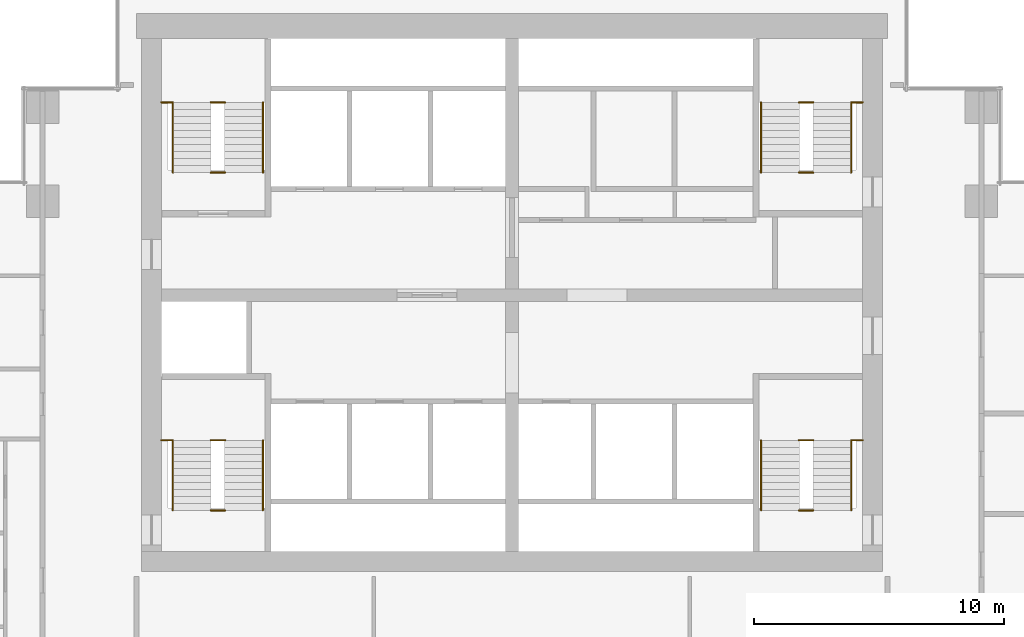
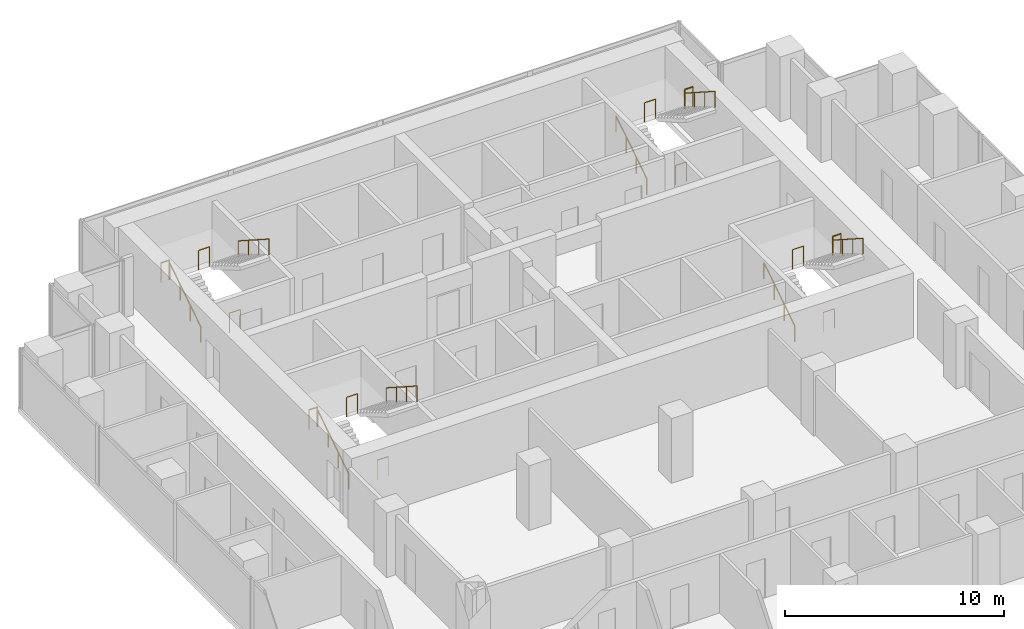
# One storey, part 10 of 10: 20 railings.
"""IFC4 building model written with IfcOpenShell, lengths in metres."""

import ifcopenshell
import ifcopenshell.guid

model = None  # the IFC model being written
_history = None  # IfcOwnerHistory: only IFC2X3 demands one
_inside = {}  # id of a spatial element -> (the spatial element, [elements in it])
_under = {}  # id of a project, library or spatial element -> (it, [spatial elements below it])
_declared = {}  # id of a project -> (the project, [libraries it declares])
_typed = {}  # id of a type object -> (the type object, [elements of that type])
_made_of = {}  # id of a material, layer set ... -> (it, [elements and type objects made of it])


def new_model(schema):
    """Start an empty IFC model of exactly this schema.

    Asked for "IFC4X3", IfcOpenShell would pick the latest addendum, in which some entities
    have other attributes; the version numbers below select the first issue.
    IFC2X3 requires an IfcOwnerHistory on every rooted entity: one is made here for all.
    """
    global model, _history
    if schema == "IFC4X3":
        model = ifcopenshell.file(schema_version=(4, 3, 0, 0))
    else:
        model = ifcopenshell.file(schema=schema)
    _inside.clear()
    _under.clear()
    _declared.clear()
    _typed.clear()
    _made_of.clear()
    _history = None
    if model.schema == "IFC2X3":
        org = make("IfcOrganization", Name="unknown")
        user = make(
            "IfcPersonAndOrganization",
            ThePerson=make("IfcPerson", FamilyName="unknown"),
            TheOrganization=org,
        )
        app = make(
            "IfcApplication",
            ApplicationDeveloper=org,
            Version="unknown",
            ApplicationFullName="unknown",
            ApplicationIdentifier="unknown",
        )
        _history = make(
            "IfcOwnerHistory",
            OwningUser=user,
            OwningApplication=app,
            ChangeAction="ADDED",
            CreationDate=0,
        )
    return model


def make(cls, **values):
    """One entity of the class cls with the attributes given. An attribute that is None is left unset."""
    return model.create_entity(
        cls, **{name: value for name, value in values.items() if value is not None}
    )


def rooted(cls, **values):
    """An entity with a GlobalId (a new one), such as an element, a storey or a relation."""
    return make(cls, GlobalId=ifcopenshell.guid.new(), OwnerHistory=_history, **values)


def si_unit(unit_type, name, prefix=None):
    """IfcSIUnit, for example si_unit("LENGTHUNIT", "METRE", prefix="MILLI")."""
    return make("IfcSIUnit", UnitType=unit_type, Prefix=prefix, Name=name)


def assignment(units):
    """IfcUnitAssignment: the units of a project."""
    return None if units is None else make("IfcUnitAssignment", Units=units)


def point(xyz):
    """IfcCartesianPoint."""
    return None if xyz is None else make("IfcCartesianPoint", Coordinates=xyz)


def direction(xyz):
    """IfcDirection."""
    return None if xyz is None else make("IfcDirection", DirectionRatios=xyz)


def frame(location, z_axis=None, x_axis=None):
    """IfcAxis2Placement3D, a coordinate frame: its origin and axes. An axis left out is left unset."""
    return make(
        "IfcAxis2Placement3D",
        Location=point(location),
        Axis=direction(z_axis),
        RefDirection=direction(x_axis),
    )


def frame_2d(location, x_axis=None):
    """IfcAxis2Placement2D, a coordinate frame in the plane: its origin and x axis."""
    return make(
        "IfcAxis2Placement2D", Location=point(location), RefDirection=direction(x_axis)
    )


def origin():
    """The frame at (0, 0, 0) with its axes left unset."""
    return frame((0.0, 0.0, 0.0))


def origin_2d():
    """The frame at (0, 0) in the plane with its x axis left unset."""
    return frame_2d((0.0, 0.0))


def place(relative_to, where):
    """IfcLocalPlacement: puts the frame where relative to a parent placement (None: the world)."""
    return make(
        "IfcLocalPlacement", PlacementRelTo=relative_to, RelativePlacement=where
    )


def context(
    kind, dimensions, precision=None, world=None, true_north=None, identifier=None
):
    """IfcGeometricRepresentationContext, for example the 3D "Model" context."""
    return make(
        "IfcGeometricRepresentationContext",
        ContextIdentifier=identifier,
        ContextType=kind,
        CoordinateSpaceDimension=dimensions,
        Precision=precision,
        WorldCoordinateSystem=world,
        TrueNorth=true_north,
    )


def subcontext(parent, identifier, kind, view, scale=None):
    """IfcGeometricRepresentationSubContext, for example "Body" below "Model"."""
    return make(
        "IfcGeometricRepresentationSubContext",
        ContextIdentifier=identifier,
        ContextType=kind,
        ParentContext=parent,
        TargetScale=scale,
        TargetView=view,
    )


def project(units=None, contexts=None):
    """IfcProject with its units and contexts."""
    return rooted(
        "IfcProject",
        Name="project",
        RepresentationContexts=contexts,
        UnitsInContext=assignment(units),
    )


def spatial(cls, under=None, at=None, **own):
    """A site, building, storey or space (cls), placed at a placement, below another one or the project."""
    s = rooted(cls, ObjectPlacement=at, **own)
    if under is not None:
        _under.setdefault(under.id(), (under, []))[1].append(s)
    return s


def profile(cls, at=None, kind="AREA", **sizes):
    """A parametric profile (cls). Its sizes go by their IFC names, for example OverallWidth=200.0."""
    return make(cls, ProfileType=kind, Position=at, **sizes)


def circle(**sizes):
    """IfcCircleProfileDef."""
    return profile("IfcCircleProfileDef", **sizes)


def extrude(swept, where, along, depth):
    """IfcExtrudedAreaSolid: the profile swept, set in the frame where, extruded along a direction by depth."""
    return make(
        "IfcExtrudedAreaSolid",
        SweptArea=swept,
        Position=where,
        ExtrudedDirection=direction(along),
        Depth=depth,
    )


def shape(context_of_items, identifier, shape_type, items):
    """IfcShapeRepresentation: the items that make up one representation, for example the "Body"."""
    return make(
        "IfcShapeRepresentation",
        ContextOfItems=context_of_items,
        RepresentationIdentifier=identifier,
        RepresentationType=shape_type,
        Items=items,
    )


def material(Name=None, Category=None):
    """IfcMaterial."""
    return make("IfcMaterial", Name=Name, Category=Category)


def made_of(thing, what):
    """Note that an element or type object is made of a material, layer set ...; save() writes the relation."""
    if what is not None:
        _made_of.setdefault(what.id(), (what, []))[1].append(thing)
    return thing


def type_object(cls, material=None, **own):
    """A type object (cls), such as IfcWallType, which elements share."""
    return made_of(rooted(cls, **own), material)


def element(
    cls,
    number,
    at=None,
    inside=None,
    cuts=None,
    type_object=None,
    material=None,
    context=None,
    identifier="Body",
    shape_type=None,
    held_by="IfcProductDefinitionShape",
    body=None,
    shapes=None,
    **own,
):
    """One element of the class cls, such as IfcWall. Its Tag is "e" and its number.

    at: its placement. inside: the storey or other place that contains it. cuts: it is an
    opening in that element (IfcRelVoidsElement). A single representation is given by context,
    identifier, shape_type and body (its items); several are given by shapes. held_by: the class
    of the entity that holds the representations. save() writes the other relations.
    """
    e = rooted(cls, Tag="e%d" % number, ObjectPlacement=at, **own)
    if body is not None:
        shapes = [shape(context, identifier, shape_type, body)]
    if shapes is not None:
        e.Representation = make(held_by, Representations=shapes)
    if inside is not None:
        _inside.setdefault(inside.id(), (inside, []))[1].append(e)
    if cuts is not None:
        rooted(
            "IfcRelVoidsElement", RelatingBuildingElement=cuts, RelatedOpeningElement=e
        )
    if type_object is not None:
        _typed.setdefault(type_object.id(), (type_object, []))[1].append(e)
    return made_of(e, material)


def aggregate(whole, parts):
    """IfcRelAggregates: a whole, such as a stair, and the parts it consists of."""
    return rooted("IfcRelAggregates", RelatingObject=whole, RelatedObjects=parts)


def save(model, path):
    """Write the relations noted so far, then the file.

    IfcRelAggregates (storeys below a building ...), IfcRelContainedInSpatialStructure (elements
    in a storey), IfcRelDefinesByType, IfcRelAssociatesMaterial and IfcRelDeclares: one each for
    every whole, place, type object, material and project.
    """
    for whole, parts in _under.values():
        aggregate(whole, parts)
    for where, things in _inside.values():
        rooted(
            "IfcRelContainedInSpatialStructure",
            RelatedElements=things,
            RelatingStructure=where,
        )
    for kind, things in _typed.values():
        rooted("IfcRelDefinesByType", RelatedObjects=things, RelatingType=kind)
    for what, things in _made_of.values():
        rooted("IfcRelAssociatesMaterial", RelatedObjects=things, RelatingMaterial=what)
    for by, libraries in _declared.values():
        rooted("IfcRelDeclares", RelatingContext=by, RelatedDefinitions=libraries)
    model.write(path)


model = new_model("IFC4")

# Units and contexts
model_context = context("Model", 3, precision=1e-05, world=origin(), true_north=direction((0.0, 1.0)))
body_context = subcontext(model_context, "Body", "Model", "MODEL_VIEW")
ifc_project = project(units=[si_unit("LENGTHUNIT", "METRE"), si_unit("AREAUNIT", "SQUARE_METRE"), si_unit("VOLUMEUNIT", "CUBIC_METRE"), si_unit("PLANEANGLEUNIT", "RADIAN"), si_unit("MASSUNIT", "GRAM", prefix="KILO")], contexts=[model_context])

# Site, building, storey
site_placement = place(None, origin())
site = spatial("IfcSite", under=ifc_project, at=site_placement, CompositionType="ELEMENT")
building_placement = place(site_placement, origin())
building = spatial("IfcBuilding", under=site, at=building_placement, Name="Pilkhan Gate Tower", CompositionType="ELEMENT")
storey_placement = place(building_placement, frame((0.0, 0.0, 139.60009765625)))
storey = spatial("IfcBuildingStorey", under=building, at=storey_placement, Name="L35", CompositionType="ELEMENT", Elevation=139.60009765625)

# Railings
ifc_material_1 = material(Name="Black powder-coated steel tube", Category="steel")
railing_type_1 = type_object("IfcRailingType", Name="Stair handrail HR1", PredefinedType="HANDRAIL", material=ifc_material_1)
railing_1_placement = place(storey_placement, frame((84.949951171875, 73.89990234375, 0.0)))
element("IfcRailing", 1, at=railing_1_placement, inside=storey, type_object=railing_type_1, Name="Stair ST1 handrail L35", PredefinedType="HANDRAIL", context=body_context, shape_type="SweptSolid", body=[
    extrude(circle(Radius=0.02392578125, at=origin_2d()), frame((0.0, 0.0, 0.8759765625), z_axis=(0.0, 0.841209454229, 0.540709398952), x_axis=(-1.0, 0.0, 0.0)), (0.0, 0.0, 1.0), 3.32861328125),
    extrude(circle(Radius=0.02099609375, at=origin_2d()), origin(), (0.0, 0.0, 1.0), 0.851806640625),
    extrude(circle(Radius=0.02099609375, at=origin_2d()), frame((0.0, 0.933349609375, 0.599853515625)), (0.0, 0.0, 1.0), 0.851806640625),
    extrude(circle(Radius=0.02099609375, at=origin_2d()), frame((0.0, 1.86669921875, 1.199951171875)), (0.0, 0.0, 1.0), 0.851806640625),
    extrude(circle(Radius=0.02099609375, at=origin_2d()), frame((0.0, 2.800048828125, 1.7998046875)), (0.0, 0.0, 1.0), 0.851806640625),
])
railing_2_placement = place(storey_placement, frame((88.550048828125, 76.699951171875, 1.7998046875)))
element("IfcRailing", 2, at=railing_2_placement, inside=storey, type_object=railing_type_1, Name="Stair ST1 handrail L35", PredefinedType="HANDRAIL", context=body_context, shape_type="SweptSolid", body=[
    extrude(circle(Radius=0.02392578125, at=origin_2d()), frame((0.0, 0.0, 0.8759765625), z_axis=(0.0, -0.841176092368, 0.540761298198), x_axis=(1.0, 0.0, 0.0)), (0.0, 0.0, 1.0), 3.32861328125),
    extrude(circle(Radius=0.02099609375, at=origin_2d()), origin(), (0.0, 0.0, 1.0), 0.851806640625),
    extrude(circle(Radius=0.02099609375, at=origin_2d()), frame((0.0, -0.933349609375, 0.60009765625)), (0.0, 0.0, 1.0), 0.851806640625),
    extrude(circle(Radius=0.02099609375, at=origin_2d()), frame((0.0, -1.86669921875, 1.199951171875)), (0.0, 0.0, 1.0), 0.851806640625),
    extrude(circle(Radius=0.02099609375, at=origin_2d()), frame((0.0, -2.800048828125, 1.800048828125)), (0.0, 0.0, 1.0), 0.851806640625),
])
railing_3_placement = place(storey_placement, frame((61.449951171875, 73.89990234375, 0.0)))
element("IfcRailing", 3, at=railing_3_placement, inside=storey, type_object=railing_type_1, Name="Stair ST2 handrail L35", PredefinedType="HANDRAIL", context=body_context, shape_type="SweptSolid", body=[
    extrude(circle(Radius=0.02392578125, at=origin_2d()), frame((0.0, 0.0, 0.8759765625), z_axis=(0.0, 0.841209454229, 0.540709398952), x_axis=(-1.0, 0.0, 0.0)), (0.0, 0.0, 1.0), 3.32861328125),
    extrude(circle(Radius=0.02099609375, at=origin_2d()), origin(), (0.0, 0.0, 1.0), 0.851806640625),
    extrude(circle(Radius=0.02099609375, at=origin_2d()), frame((0.0, 0.933349609375, 0.599853515625)), (0.0, 0.0, 1.0), 0.851806640625),
    extrude(circle(Radius=0.02099609375, at=origin_2d()), frame((0.0, 1.86669921875, 1.199951171875)), (0.0, 0.0, 1.0), 0.851806640625),
    extrude(circle(Radius=0.02099609375, at=origin_2d()), frame((0.0, 2.800048828125, 1.7998046875)), (0.0, 0.0, 1.0), 0.851806640625),
])
railing_4_placement = place(storey_placement, frame((65.050048828125, 76.699951171875, 1.7998046875)))
element("IfcRailing", 4, at=railing_4_placement, inside=storey, type_object=railing_type_1, Name="Stair ST2 handrail L35", PredefinedType="HANDRAIL", context=body_context, shape_type="SweptSolid", body=[
    extrude(circle(Radius=0.02392578125, at=origin_2d()), frame((0.0, 0.0, 0.8759765625), z_axis=(0.0, -0.841176092368, 0.540761298198), x_axis=(1.0, 0.0, 0.0)), (0.0, 0.0, 1.0), 3.32861328125),
    extrude(circle(Radius=0.02099609375, at=origin_2d()), origin(), (0.0, 0.0, 1.0), 0.851806640625),
    extrude(circle(Radius=0.02099609375, at=origin_2d()), frame((0.0, -0.933349609375, 0.60009765625)), (0.0, 0.0, 1.0), 0.851806640625),
    extrude(circle(Radius=0.02099609375, at=origin_2d()), frame((0.0, -1.86669921875, 1.199951171875)), (0.0, 0.0, 1.0), 0.851806640625),
    extrude(circle(Radius=0.02099609375, at=origin_2d()), frame((0.0, -2.800048828125, 1.800048828125)), (0.0, 0.0, 1.0), 0.851806640625),
])
railing_5_placement = place(storey_placement, frame((61.449951171875, 87.39990234375, 0.0)))
element("IfcRailing", 5, at=railing_5_placement, inside=storey, type_object=railing_type_1, Name="Stair ST3 handrail L35", PredefinedType="HANDRAIL", context=body_context, shape_type="SweptSolid", body=[
    extrude(circle(Radius=0.02392578125, at=origin_2d()), frame((0.0, 0.0, 0.8759765625), z_axis=(0.0, 0.841209454229, 0.540709398952), x_axis=(-1.0, 0.0, 0.0)), (0.0, 0.0, 1.0), 3.32861328125),
    extrude(circle(Radius=0.02099609375, at=origin_2d()), origin(), (0.0, 0.0, 1.0), 0.851806640625),
    extrude(circle(Radius=0.02099609375, at=origin_2d()), frame((0.0, 0.933349609375, 0.599853515625)), (0.0, 0.0, 1.0), 0.851806640625),
    extrude(circle(Radius=0.02099609375, at=origin_2d()), frame((0.0, 1.86669921875, 1.199951171875)), (0.0, 0.0, 1.0), 0.851806640625),
    extrude(circle(Radius=0.02099609375, at=origin_2d()), frame((0.0, 2.800048828125, 1.7998046875)), (0.0, 0.0, 1.0), 0.851806640625),
])
railing_6_placement = place(storey_placement, frame((65.050048828125, 90.199951171875, 1.7998046875)))
element("IfcRailing", 6, at=railing_6_placement, inside=storey, type_object=railing_type_1, Name="Stair ST3 handrail L35", PredefinedType="HANDRAIL", context=body_context, shape_type="SweptSolid", body=[
    extrude(circle(Radius=0.02392578125, at=origin_2d()), frame((0.0, 0.0, 0.8759765625), z_axis=(0.0, -0.841176092368, 0.540761298198), x_axis=(1.0, 0.0, 0.0)), (0.0, 0.0, 1.0), 3.32861328125),
    extrude(circle(Radius=0.02099609375, at=origin_2d()), origin(), (0.0, 0.0, 1.0), 0.851806640625),
    extrude(circle(Radius=0.02099609375, at=origin_2d()), frame((0.0, -0.933349609375, 0.60009765625)), (0.0, 0.0, 1.0), 0.851806640625),
    extrude(circle(Radius=0.02099609375, at=origin_2d()), frame((0.0, -1.86669921875, 1.199951171875)), (0.0, 0.0, 1.0), 0.851806640625),
    extrude(circle(Radius=0.02099609375, at=origin_2d()), frame((0.0, -2.800048828125, 1.800048828125)), (0.0, 0.0, 1.0), 0.851806640625),
])
railing_7_placement = place(storey_placement, frame((84.949951171875, 87.39990234375, 0.0)))
element("IfcRailing", 7, at=railing_7_placement, inside=storey, type_object=railing_type_1, Name="Stair ST4 handrail L35", PredefinedType="HANDRAIL", context=body_context, shape_type="SweptSolid", body=[
    extrude(circle(Radius=0.02392578125, at=origin_2d()), frame((0.0, 0.0, 0.8759765625), z_axis=(0.0, 0.841209454229, 0.540709398952), x_axis=(-1.0, 0.0, 0.0)), (0.0, 0.0, 1.0), 3.32861328125),
    extrude(circle(Radius=0.02099609375, at=origin_2d()), origin(), (0.0, 0.0, 1.0), 0.851806640625),
    extrude(circle(Radius=0.02099609375, at=origin_2d()), frame((0.0, 0.933349609375, 0.599853515625)), (0.0, 0.0, 1.0), 0.851806640625),
    extrude(circle(Radius=0.02099609375, at=origin_2d()), frame((0.0, 1.86669921875, 1.199951171875)), (0.0, 0.0, 1.0), 0.851806640625),
    extrude(circle(Radius=0.02099609375, at=origin_2d()), frame((0.0, 2.800048828125, 1.7998046875)), (0.0, 0.0, 1.0), 0.851806640625),
])
railing_8_placement = place(storey_placement, frame((88.550048828125, 90.199951171875, 1.7998046875)))
element("IfcRailing", 8, at=railing_8_placement, inside=storey, type_object=railing_type_1, Name="Stair ST4 handrail L35", PredefinedType="HANDRAIL", context=body_context, shape_type="SweptSolid", body=[
    extrude(circle(Radius=0.02392578125, at=origin_2d()), frame((0.0, 0.0, 0.8759765625), z_axis=(0.0, -0.841176092368, 0.540761298198), x_axis=(1.0, 0.0, 0.0)), (0.0, 0.0, 1.0), 3.32861328125),
    extrude(circle(Radius=0.02099609375, at=origin_2d()), origin(), (0.0, 0.0, 1.0), 0.851806640625),
    extrude(circle(Radius=0.02099609375, at=origin_2d()), frame((0.0, -0.933349609375, 0.60009765625)), (0.0, 0.0, 1.0), 0.851806640625),
    extrude(circle(Radius=0.02099609375, at=origin_2d()), frame((0.0, -1.86669921875, 1.199951171875)), (0.0, 0.0, 1.0), 0.851806640625),
    extrude(circle(Radius=0.02099609375, at=origin_2d()), frame((0.0, -2.800048828125, 1.800048828125)), (0.0, 0.0, 1.0), 0.851806640625),
])
ifc_material_2 = material(Name="Black powder-coated steel balusters", Category="steel")
railing_type_2 = type_object("IfcRailingType", Name="Stair well guard G3", PredefinedType="GUARDRAIL", material=ifc_material_2)
railing_9_placement = place(storey_placement, frame((88.580078125, 76.699951171875, 1.7998046875)))
element("IfcRailing", 9, at=railing_9_placement, inside=storey, type_object=railing_type_2, Name="Stair ST1 well guard L35", PredefinedType="GUARDRAIL", context=body_context, shape_type="SweptSolid", body=[
    extrude(circle(Radius=0.02392578125, at=origin_2d()), frame((0.0, 0.0, 1.076171875), z_axis=(1.0, 0.0, 0.0), x_axis=(0.0, 1.0, 0.0)), (0.0, 0.0, 1.0), 0.43994140625),
    extrude(circle(Radius=0.02099609375, at=origin_2d()), origin(), (0.0, 0.0, 1.0), 1.052001953125),
    extrude(circle(Radius=0.02099609375, at=origin_2d()), frame((0.43994140625, 0.0, 0.0)), (0.0, 0.0, 1.0), 1.052001953125),
])
for number, where, name in (
    (10, (86.4599609375, 73.89990234375, 0.0), "Stair ST1 well guard L35"),
    (11, (86.4599609375, 76.699951171875, 1.7998046875), "Stair ST1 well guard L35"),
):
    element("IfcRailing", number, at=place(storey_placement, frame(where)), inside=storey, type_object=railing_type_2, Name=name, PredefinedType="GUARDRAIL", context=body_context, shape_type="SweptSolid", body=[
        extrude(circle(Radius=0.02392578125, at=origin_2d()), frame((0.0, 0.0, 1.076171875), z_axis=(1.0, 0.0, 0.0), x_axis=(0.0, 1.0, 0.0)), (0.0, 0.0, 1.0), 0.580078125),
        extrude(circle(Radius=0.02099609375, at=origin_2d()), origin(), (0.0, 0.0, 1.0), 1.052001953125),
        extrude(circle(Radius=0.02099609375, at=origin_2d()), frame((0.580078125, 0.0, 0.0)), (0.0, 0.0, 1.0), 1.052001953125),
    ])
railing_10_placement = place(storey_placement, frame((60.97998046875, 76.699951171875, 1.7998046875)))
element("IfcRailing", 12, at=railing_10_placement, inside=storey, type_object=railing_type_2, Name="Stair ST2 well guard L35", PredefinedType="GUARDRAIL", context=body_context, shape_type="SweptSolid", body=[
    extrude(circle(Radius=0.02392578125, at=origin_2d()), frame((0.0, 0.0, 1.076171875), z_axis=(1.0, 0.0, 0.0), x_axis=(0.0, 1.0, 0.0)), (0.0, 0.0, 1.0), 0.43994140625),
    extrude(circle(Radius=0.02099609375, at=origin_2d()), origin(), (0.0, 0.0, 1.0), 1.052001953125),
    extrude(circle(Radius=0.02099609375, at=origin_2d()), frame((0.43994140625, 0.0, 0.0)), (0.0, 0.0, 1.0), 1.052001953125),
])
for number, where, name in (
    (13, (62.9599609375, 73.89990234375, 0.0), "Stair ST2 well guard L35"),
    (14, (62.9599609375, 76.699951171875, 1.7998046875), "Stair ST2 well guard L35"),
):
    element("IfcRailing", number, at=place(storey_placement, frame(where)), inside=storey, type_object=railing_type_2, Name=name, PredefinedType="GUARDRAIL", context=body_context, shape_type="SweptSolid", body=[
        extrude(circle(Radius=0.02392578125, at=origin_2d()), frame((0.0, 0.0, 1.076171875), z_axis=(1.0, 0.0, 0.0), x_axis=(0.0, 1.0, 0.0)), (0.0, 0.0, 1.0), 0.580078125),
        extrude(circle(Radius=0.02099609375, at=origin_2d()), origin(), (0.0, 0.0, 1.0), 1.052001953125),
        extrude(circle(Radius=0.02099609375, at=origin_2d()), frame((0.580078125, 0.0, 0.0)), (0.0, 0.0, 1.0), 1.052001953125),
    ])
railing_11_placement = place(storey_placement, frame((60.97998046875, 90.199951171875, 1.7998046875)))
element("IfcRailing", 15, at=railing_11_placement, inside=storey, type_object=railing_type_2, Name="Stair ST3 well guard L35", PredefinedType="GUARDRAIL", context=body_context, shape_type="SweptSolid", body=[
    extrude(circle(Radius=0.02392578125, at=origin_2d()), frame((0.0, 0.0, 1.076171875), z_axis=(1.0, 0.0, 0.0), x_axis=(0.0, 1.0, 0.0)), (0.0, 0.0, 1.0), 0.43994140625),
    extrude(circle(Radius=0.02099609375, at=origin_2d()), origin(), (0.0, 0.0, 1.0), 1.052001953125),
    extrude(circle(Radius=0.02099609375, at=origin_2d()), frame((0.43994140625, 0.0, 0.0)), (0.0, 0.0, 1.0), 1.052001953125),
])
for number, where, name in (
    (16, (62.9599609375, 87.39990234375, 0.0), "Stair ST3 well guard L35"),
    (17, (62.9599609375, 90.199951171875, 1.7998046875), "Stair ST3 well guard L35"),
):
    element("IfcRailing", number, at=place(storey_placement, frame(where)), inside=storey, type_object=railing_type_2, Name=name, PredefinedType="GUARDRAIL", context=body_context, shape_type="SweptSolid", body=[
        extrude(circle(Radius=0.02392578125, at=origin_2d()), frame((0.0, 0.0, 1.076171875), z_axis=(1.0, 0.0, 0.0), x_axis=(0.0, 1.0, 0.0)), (0.0, 0.0, 1.0), 0.580078125),
        extrude(circle(Radius=0.02099609375, at=origin_2d()), origin(), (0.0, 0.0, 1.0), 1.052001953125),
        extrude(circle(Radius=0.02099609375, at=origin_2d()), frame((0.580078125, 0.0, 0.0)), (0.0, 0.0, 1.0), 1.052001953125),
    ])
railing_12_placement = place(storey_placement, frame((88.580078125, 90.199951171875, 1.7998046875)))
element("IfcRailing", 18, at=railing_12_placement, inside=storey, type_object=railing_type_2, Name="Stair ST4 well guard L35", PredefinedType="GUARDRAIL", context=body_context, shape_type="SweptSolid", body=[
    extrude(circle(Radius=0.02392578125, at=origin_2d()), frame((0.0, 0.0, 1.076171875), z_axis=(1.0, 0.0, 0.0), x_axis=(0.0, 1.0, 0.0)), (0.0, 0.0, 1.0), 0.43994140625),
    extrude(circle(Radius=0.02099609375, at=origin_2d()), origin(), (0.0, 0.0, 1.0), 1.052001953125),
    extrude(circle(Radius=0.02099609375, at=origin_2d()), frame((0.43994140625, 0.0, 0.0)), (0.0, 0.0, 1.0), 1.052001953125),
])
for number, where, name in (
    (19, (86.4599609375, 87.39990234375, 0.0), "Stair ST4 well guard L35"),
    (20, (86.4599609375, 90.199951171875, 1.7998046875), "Stair ST4 well guard L35"),
):
    element("IfcRailing", number, at=place(storey_placement, frame(where)), inside=storey, type_object=railing_type_2, Name=name, PredefinedType="GUARDRAIL", context=body_context, shape_type="SweptSolid", body=[
        extrude(circle(Radius=0.02392578125, at=origin_2d()), frame((0.0, 0.0, 1.076171875), z_axis=(1.0, 0.0, 0.0), x_axis=(0.0, 1.0, 0.0)), (0.0, 0.0, 1.0), 0.580078125),
        extrude(circle(Radius=0.02099609375, at=origin_2d()), origin(), (0.0, 0.0, 1.0), 1.052001953125),
        extrude(circle(Radius=0.02099609375, at=origin_2d()), frame((0.580078125, 0.0, 0.0)), (0.0, 0.0, 1.0), 1.052001953125),
    ])

save(model, "model.ifc")
